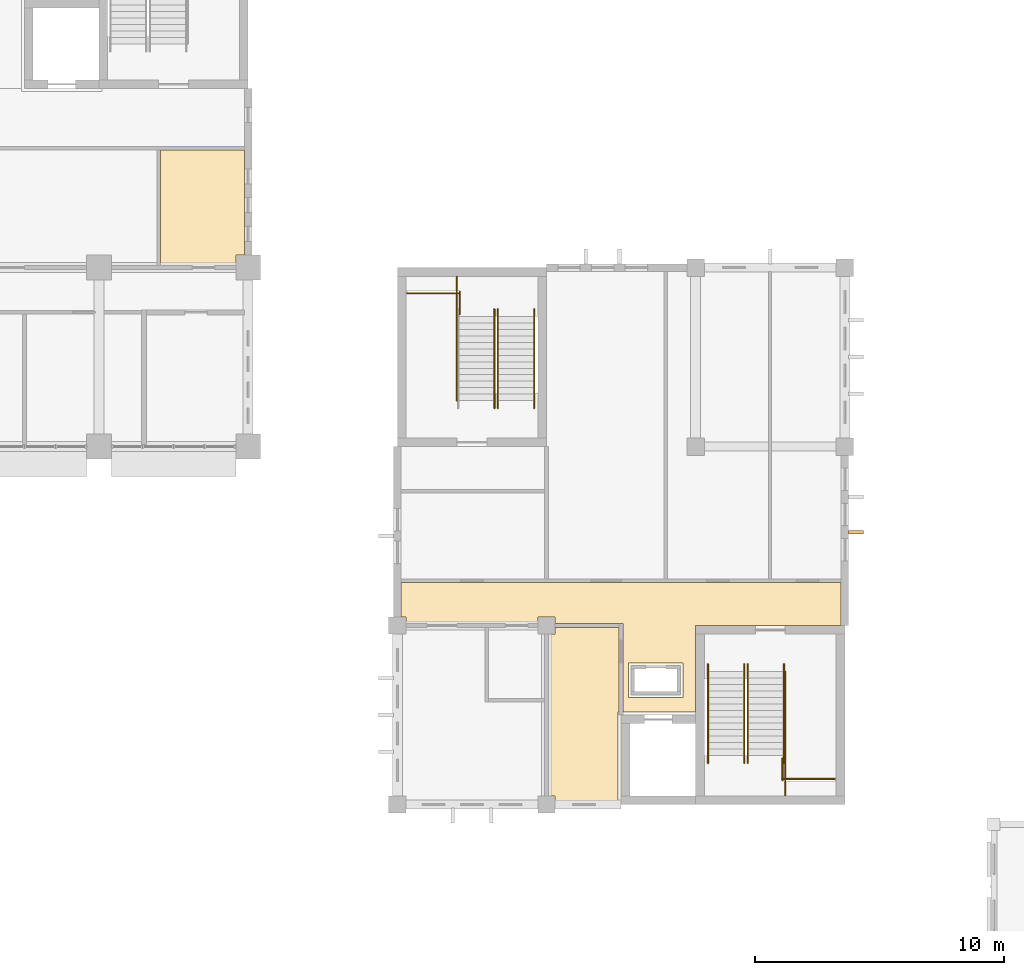
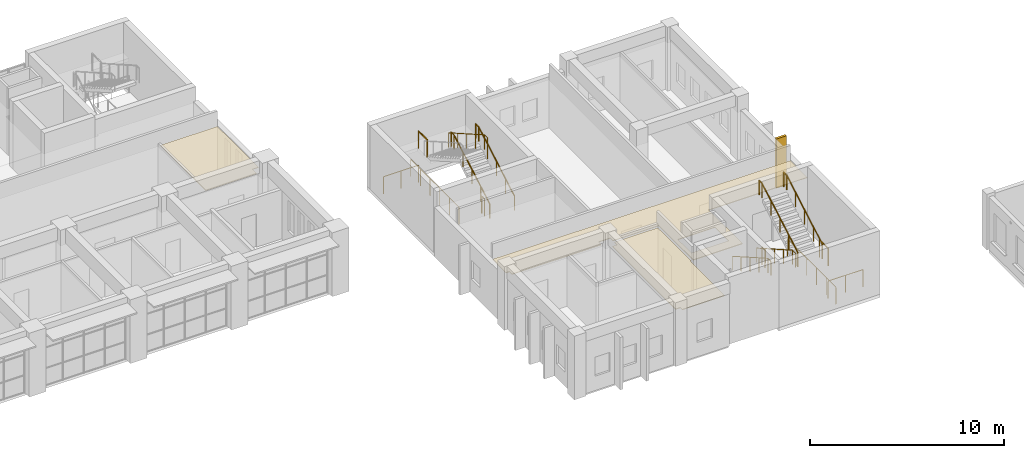
# One storey, part 89 of 92: 15 railings, 3 coverings, 1 shading device.
"""IFC4 building model written with IfcOpenShell, lengths in metres."""

from ifc_helpers import new_model, si_unit, direction, frame, origin, origin_2d, place, context, subcontext, project, spatial, polyline, rectangle, circle, outline, extrude, material, layer, layer_set, type_object, element, save


model = new_model("IFC4")

# Units and contexts
model_context = context("Model", 3, precision=1e-05, world=origin(), true_north=direction((0.0, 1.0)))
body_context = subcontext(model_context, "Body", "Model", "MODEL_VIEW")
ifc_project = project(units=[si_unit("LENGTHUNIT", "METRE"), si_unit("AREAUNIT", "SQUARE_METRE"), si_unit("VOLUMEUNIT", "CUBIC_METRE"), si_unit("PLANEANGLEUNIT", "RADIAN"), si_unit("MASSUNIT", "GRAM", prefix="KILO")], contexts=[model_context])

# Site, building, storey
site_placement = place(None, origin())
site = spatial("IfcSite", under=ifc_project, at=site_placement, CompositionType="ELEMENT")
building_placement = place(site_placement, origin())
building = spatial("IfcBuilding", under=site, at=building_placement, Name="Laocheng Heights Fire and Rescue Headquarters", CompositionType="ELEMENT")
storey_placement = place(building_placement, frame((0.0, 0.0, 12.60009765625)))
storey = spatial("IfcBuildingStorey", under=building, at=storey_placement, Name="L03", CompositionType="ELEMENT", Elevation=12.60009765625)

# Shading device
ifc_material_1 = material(Name="Precast concrete C40/50, light warm grey", Category="concrete")
ifc_layer_1 = layer(ifc_material_1, 0.14990234375)
ifc_layer_set_1 = layer_set([ifc_layer_1], Name="Precast concrete C40/50, light warm grey")
shading_device_type = type_object("IfcShadingDeviceType", Name="PRECAST VERTICAL FIN 150 x 600 DORMITORY", PredefinedType="AWNING", material=ifc_layer_set_1)
shading_device_placement = place(storey_placement, frame((108.449951171875, 46.956298828125, -0.000244140625), z_axis=(0.0, 0.0, 1.0), x_axis=(1.0, 0.0, 0.0)))
element("IfcShadingDevice", 1, at=shading_device_placement, inside=storey, type_object=shading_device_type, Name="FIN CREW L03", PredefinedType="AWNING", context=body_context, shape_type="SweptSolid", body=[
    extrude(rectangle(XDim=0.60009765625, YDim=0.14990234375, at=origin_2d()), origin(), (0.0, 0.0, 1.0), 3.10009765625),
])

# Railings
ifc_material_2 = material(Name="Steel Q355B", Category="steel")
railing_type_1 = type_object("IfcRailingType", Name="STAIR GUARD 1100", PredefinedType="GUARDRAIL", material=ifc_material_2)
railing_1_placement = place(storey_placement, frame((104.094970703125, 41.0498046875, 0.0)))
element("IfcRailing", 2, at=railing_1_placement, inside=storey, type_object=railing_type_1, Name="Stair C1 guard L03 well edge", PredefinedType="GUARDRAIL", context=body_context, shape_type="SweptSolid", body=[
    extrude(circle(Radius=0.02392578125, at=origin_2d()), frame((0.0, 0.0, 1.076171875), z_axis=(0.0, 1.0, 0.0), x_axis=(-1.0, 0.0, 0.0)), (0.0, 0.0, 1.0), 0.30029296875),
    extrude(circle(Radius=0.02099609375, at=origin_2d()), origin(), (0.0, 0.0, 1.0), 1.052001953125),
    extrude(circle(Radius=0.02099609375, at=origin_2d()), frame((0.0, 0.30029296875, 0.0)), (0.0, 0.0, 1.0), 1.052001953125),
])
railing_2_placement = place(storey_placement, frame((105.52490234375, 37.030029296875, 0.0)))
element("IfcRailing", 3, at=railing_2_placement, inside=storey, type_object=railing_type_1, Name="Stair C1 guard L03 tongue edge", PredefinedType="GUARDRAIL", context=body_context, shape_type="SweptSolid", body=[
    extrude(circle(Radius=0.02392578125, at=origin_2d()), frame((0.0, 0.0, 1.076171875), z_axis=(1.0, 0.0, 0.0), x_axis=(0.0, 1.0, 0.0)), (0.0, 0.0, 1.0), 2.0751953125),
    extrude(circle(Radius=0.02099609375, at=origin_2d()), origin(), (0.0, 0.0, 1.0), 1.052001953125),
    extrude(circle(Radius=0.02099609375, at=origin_2d()), frame((1.03759765625, 0.0, 0.0)), (0.0, 0.0, 1.0), 1.052001953125),
    extrude(circle(Radius=0.02099609375, at=origin_2d()), frame((2.0751953125, 0.0, 0.0)), (0.0, 0.0, 1.0), 1.052001953125),
])
railing_3_placement = place(storey_placement, frame((105.60498046875, 36.3701171875, 0.0)))
element("IfcRailing", 4, at=railing_3_placement, inside=storey, type_object=railing_type_1, Name="Stair C1 guard L03 strip edge", PredefinedType="GUARDRAIL", context=body_context, shape_type="SweptSolid", body=[
    extrude(circle(Radius=0.02392578125, at=origin_2d()), frame((0.0, 0.0, 1.076171875), z_axis=(0.0, 1.0, 0.0), x_axis=(-1.0, 0.0, 0.0)), (0.0, 0.0, 1.0), 4.97998046875),
    extrude(circle(Radius=0.02099609375, at=origin_2d()), origin(), (0.0, 0.0, 1.0), 1.052001953125),
    extrude(circle(Radius=0.02099609375, at=origin_2d()), frame((0.0, 0.99609375, 0.0)), (0.0, 0.0, 1.0), 1.052001953125),
    extrude(circle(Radius=0.02099609375, at=origin_2d()), frame((0.0, 1.991943359375, 0.0)), (0.0, 0.0, 1.0), 1.052001953125),
    extrude(circle(Radius=0.02099609375, at=origin_2d()), frame((0.0, 2.988037109375, 0.0)), (0.0, 0.0, 1.0), 1.052001953125),
    extrude(circle(Radius=0.02099609375, at=origin_2d()), frame((0.0, 3.98388671875, 0.0)), (0.0, 0.0, 1.0), 1.052001953125),
    extrude(circle(Radius=0.02099609375, at=origin_2d()), frame((0.0, 4.97998046875, 0.0)), (0.0, 0.0, 1.0), 1.052001953125),
])
railing_4_placement = place(storey_placement, frame((105.4951171875, 36.969970703125, 2.099853515625)))
element("IfcRailing", 5, at=railing_4_placement, inside=storey, type_object=railing_type_1, Name="Stair C1 guard L03 half landing", PredefinedType="GUARDRAIL", context=body_context, shape_type="SweptSolid", body=[
    extrude(circle(Radius=0.02392578125, at=origin_2d()), frame((0.0, 0.0, 1.076171875), z_axis=(0.0, 1.0, 0.0), x_axis=(-1.0, 0.0, 0.0)), (0.0, 0.0, 1.0), 0.900146484375),
    extrude(circle(Radius=0.02099609375, at=origin_2d()), origin(), (0.0, 0.0, 1.0), 1.052001953125),
    extrude(circle(Radius=0.02099609375, at=origin_2d()), frame((0.0, 0.900146484375, 0.0)), (0.0, 0.0, 1.0), 1.052001953125),
])
railing_5_placement = place(storey_placement, frame((93.905029296875, 52.550048828125, 0.0)))
element("IfcRailing", 6, at=railing_5_placement, inside=storey, type_object=railing_type_1, Name="Stair C2 guard L03 well edge", PredefinedType="GUARDRAIL", context=body_context, shape_type="SweptSolid", body=[
    extrude(circle(Radius=0.02392578125, at=origin_2d()), frame((0.0, 0.0, 1.076171875), z_axis=(0.0, -1.0, 0.0), x_axis=(1.0, 0.0, 0.0)), (0.0, 0.0, 1.0), 0.300048828125),
    extrude(circle(Radius=0.02099609375, at=origin_2d()), origin(), (0.0, 0.0, 1.0), 1.052001953125),
    extrude(circle(Radius=0.02099609375, at=origin_2d()), frame((0.0, -0.300048828125, 0.0)), (0.0, 0.0, 1.0), 1.052001953125),
])
railing_6_placement = place(storey_placement, frame((92.47509765625, 56.570068359375, 0.0)))
element("IfcRailing", 7, at=railing_6_placement, inside=storey, type_object=railing_type_1, Name="Stair C2 guard L03 tongue edge", PredefinedType="GUARDRAIL", context=body_context, shape_type="SweptSolid", body=[
    extrude(circle(Radius=0.02392578125, at=origin_2d()), frame((0.0, 0.0, 1.076171875), z_axis=(-1.0, 0.0, 0.0), x_axis=(0.0, -1.0, 0.0)), (0.0, 0.0, 1.0), 2.0751953125),
    extrude(circle(Radius=0.02099609375, at=origin_2d()), origin(), (0.0, 0.0, 1.0), 1.052001953125),
    extrude(circle(Radius=0.02099609375, at=origin_2d()), frame((-1.03759765625, 0.0, 0.0)), (0.0, 0.0, 1.0), 1.052001953125),
    extrude(circle(Radius=0.02099609375, at=origin_2d()), frame((-2.0751953125, 0.0, 0.0)), (0.0, 0.0, 1.0), 1.052001953125),
])
railing_7_placement = place(storey_placement, frame((92.39501953125, 57.22998046875, 0.0)))
element("IfcRailing", 8, at=railing_7_placement, inside=storey, type_object=railing_type_1, Name="Stair C2 guard L03 strip edge", PredefinedType="GUARDRAIL", context=body_context, shape_type="SweptSolid", body=[
    extrude(circle(Radius=0.02392578125, at=origin_2d()), frame((0.0, 0.0, 1.076171875), z_axis=(0.0, -1.0, 0.0), x_axis=(1.0, 0.0, 0.0)), (0.0, 0.0, 1.0), 4.97998046875),
    extrude(circle(Radius=0.02099609375, at=origin_2d()), origin(), (0.0, 0.0, 1.0), 1.052001953125),
    extrude(circle(Radius=0.02099609375, at=origin_2d()), frame((0.0, -0.99609375, 0.0)), (0.0, 0.0, 1.0), 1.052001953125),
    extrude(circle(Radius=0.02099609375, at=origin_2d()), frame((0.0, -1.991943359375, 0.0)), (0.0, 0.0, 1.0), 1.052001953125),
    extrude(circle(Radius=0.02099609375, at=origin_2d()), frame((0.0, -2.988037109375, 0.0)), (0.0, 0.0, 1.0), 1.052001953125),
    extrude(circle(Radius=0.02099609375, at=origin_2d()), frame((0.0, -3.98388671875, 0.0)), (0.0, 0.0, 1.0), 1.052001953125),
    extrude(circle(Radius=0.02099609375, at=origin_2d()), frame((0.0, -4.97998046875, 0.0)), (0.0, 0.0, 1.0), 1.052001953125),
])
railing_8_placement = place(storey_placement, frame((92.5048828125, 56.6298828125, 2.099853515625)))
element("IfcRailing", 9, at=railing_8_placement, inside=storey, type_object=railing_type_1, Name="Stair C2 guard L03 half landing", PredefinedType="GUARDRAIL", context=body_context, shape_type="SweptSolid", body=[
    extrude(circle(Radius=0.02392578125, at=origin_2d()), frame((0.0, 0.0, 1.076171875), z_axis=(0.0, -1.0, 0.0), x_axis=(1.0, 0.0, 0.0)), (0.0, 0.0, 1.0), 0.89990234375),
    extrude(circle(Radius=0.02099609375, at=origin_2d()), origin(), (0.0, 0.0, 1.0), 1.052001953125),
    extrude(circle(Radius=0.02099609375, at=origin_2d()), frame((0.0, -0.89990234375, 0.0)), (0.0, 0.0, 1.0), 1.052001953125),
])
ifc_material_3 = material(Name="Steel Q355B", Category="steel")
railing_type_2 = type_object("IfcRailingType", Name="STAIR HANDRAIL 920", PredefinedType="HANDRAIL", material=ifc_material_3)
for number, where, name in (
    (10, (102.4951171875, 41.64990234375, 0.0), "Stair C1 handrail L03 1"),
    (11, (103.955078125, 41.64990234375, 0.0), "Stair C1 handrail L03 2"),
):
    element("IfcRailing", number, at=place(storey_placement, frame(where)), inside=storey, type_object=railing_type_2, Name=name, PredefinedType="HANDRAIL", context=body_context, shape_type="SweptSolid", body=[
        extrude(circle(Radius=0.02392578125, at=origin_2d()), frame((0.0, 0.0, 0.89599609375), z_axis=(0.0, -0.868544392059, 0.495611379029), x_axis=(1.0, 0.0, 0.0)), (0.0, 0.0, 1.0), 4.23681640625),
        extrude(circle(Radius=0.02392578125, at=origin_2d()), frame((0.0, -3.679931640625, 2.99560546875), z_axis=(0.0, -1.0, 0.0), x_axis=(1.0, 0.0, 0.0)), (0.0, 0.0, 1.0), 0.300048828125),
        extrude(circle(Radius=0.02099609375, at=origin_2d()), origin(), (0.0, 0.0, 1.0), 0.871826171875),
        extrude(circle(Radius=0.02099609375, at=origin_2d()), frame((0.0, -0.919921875, 0.52490234375)), (0.0, 0.0, 1.0), 0.871826171875),
        extrude(circle(Radius=0.02099609375, at=origin_2d()), frame((0.0, -1.83984375, 1.0498046875)), (0.0, 0.0, 1.0), 0.871826171875),
        extrude(circle(Radius=0.02099609375, at=origin_2d()), frame((0.0, -2.760009765625, 1.574951171875)), (0.0, 0.0, 1.0), 0.871826171875),
        extrude(circle(Radius=0.02099609375, at=origin_2d()), frame((0.0, -3.679931640625, 2.099853515625)), (0.0, 0.0, 1.0), 0.871826171875),
        extrude(circle(Radius=0.02099609375, at=origin_2d()), frame((0.0, -3.97998046875, 2.099853515625)), (0.0, 0.0, 1.0), 0.871826171875),
    ])
for number, where, name in (
    (12, (104.094970703125, 37.669921875, 2.099853515625), "Stair C1 handrail L03 3"),
    (13, (105.554931640625, 37.669921875, 2.099853515625), "Stair C1 handrail L03 4"),
):
    element("IfcRailing", number, at=place(storey_placement, frame(where)), inside=storey, type_object=railing_type_2, Name=name, PredefinedType="HANDRAIL", context=body_context, shape_type="SweptSolid", body=[
        extrude(circle(Radius=0.02392578125, at=origin_2d()), frame((0.0, 0.0, 0.89599609375), z_axis=(0.0, 0.868533742332, 0.495630041896), x_axis=(-1.0, 0.0, 0.0)), (0.0, 0.0, 1.0), 4.2373046875),
        extrude(circle(Radius=0.02392578125, at=origin_2d()), frame((0.0, 3.68017578125, 2.99609375), z_axis=(0.0, 1.0, 0.0), x_axis=(-1.0, 0.0, 0.0)), (0.0, 0.0, 1.0), 0.2998046875),
        extrude(circle(Radius=0.02099609375, at=origin_2d()), origin(), (0.0, 0.0, 1.0), 0.871826171875),
        extrude(circle(Radius=0.02099609375, at=origin_2d()), frame((0.0, 0.919921875, 0.52490234375)), (0.0, 0.0, 1.0), 0.871826171875),
        extrude(circle(Radius=0.02099609375, at=origin_2d()), frame((0.0, 1.840087890625, 1.050048828125)), (0.0, 0.0, 1.0), 0.871826171875),
        extrude(circle(Radius=0.02099609375, at=origin_2d()), frame((0.0, 2.76025390625, 1.5751953125)), (0.0, 0.0, 1.0), 0.871826171875),
        extrude(circle(Radius=0.02099609375, at=origin_2d()), frame((0.0, 3.68017578125, 2.10009765625)), (0.0, 0.0, 1.0), 0.871826171875),
        extrude(circle(Radius=0.02099609375, at=origin_2d()), frame((0.0, 3.97998046875, 2.10009765625)), (0.0, 0.0, 1.0), 0.871826171875),
    ])
for number, where, name in (
    (14, (95.5048828125, 51.949951171875, 0.0), "Stair C2 handrail L03 1"),
    (15, (94.044921875, 51.949951171875, 0.0), "Stair C2 handrail L03 2"),
):
    element("IfcRailing", number, at=place(storey_placement, frame(where)), inside=storey, type_object=railing_type_2, Name=name, PredefinedType="HANDRAIL", context=body_context, shape_type="SweptSolid", body=[
        extrude(circle(Radius=0.02392578125, at=origin_2d()), frame((0.0, 0.0, 0.89599609375), z_axis=(0.0, 0.868544392059, 0.495611379029), x_axis=(-1.0, 0.0, 0.0)), (0.0, 0.0, 1.0), 4.23681640625),
        extrude(circle(Radius=0.02392578125, at=origin_2d()), frame((0.0, 3.679931640625, 2.99560546875), z_axis=(0.0, 1.0, 0.0), x_axis=(-1.0, 0.0, 0.0)), (0.0, 0.0, 1.0), 0.300048828125),
        extrude(circle(Radius=0.02099609375, at=origin_2d()), origin(), (0.0, 0.0, 1.0), 0.871826171875),
        extrude(circle(Radius=0.02099609375, at=origin_2d()), frame((0.0, 0.919921875, 0.52490234375)), (0.0, 0.0, 1.0), 0.871826171875),
        extrude(circle(Radius=0.02099609375, at=origin_2d()), frame((0.0, 1.83984375, 1.0498046875)), (0.0, 0.0, 1.0), 0.871826171875),
        extrude(circle(Radius=0.02099609375, at=origin_2d()), frame((0.0, 2.760009765625, 1.574951171875)), (0.0, 0.0, 1.0), 0.871826171875),
        extrude(circle(Radius=0.02099609375, at=origin_2d()), frame((0.0, 3.679931640625, 2.099853515625)), (0.0, 0.0, 1.0), 0.871826171875),
        extrude(circle(Radius=0.02099609375, at=origin_2d()), frame((0.0, 3.97998046875, 2.099853515625)), (0.0, 0.0, 1.0), 0.871826171875),
    ])
railing_9_placement = place(storey_placement, frame((93.905029296875, 55.929931640625, 2.099853515625)))
element("IfcRailing", 16, at=railing_9_placement, inside=storey, type_object=railing_type_2, Name="Stair C2 handrail L03 3", PredefinedType="HANDRAIL", context=body_context, shape_type="SweptSolid", body=[
    extrude(circle(Radius=0.02392578125, at=origin_2d()), frame((0.0, 0.0, 0.89599609375), z_axis=(0.0, -0.868519587458, 0.495654845838), x_axis=(1.0, 0.0, 0.0)), (0.0, 0.0, 1.0), 4.237060546875),
    extrude(circle(Radius=0.02392578125, at=origin_2d()), frame((0.0, -3.679931640625, 2.99609375), z_axis=(0.0, -1.0, 0.0), x_axis=(1.0, 0.0, 0.0)), (0.0, 0.0, 1.0), 0.300048828125),
    extrude(circle(Radius=0.02099609375, at=origin_2d()), origin(), (0.0, 0.0, 1.0), 0.871826171875),
    extrude(circle(Radius=0.02099609375, at=origin_2d()), frame((0.0, -0.919921875, 0.52490234375)), (0.0, 0.0, 1.0), 0.871826171875),
    extrude(circle(Radius=0.02099609375, at=origin_2d()), frame((0.0, -1.83984375, 1.050048828125)), (0.0, 0.0, 1.0), 0.871826171875),
    extrude(circle(Radius=0.02099609375, at=origin_2d()), frame((0.0, -2.760009765625, 1.5751953125)), (0.0, 0.0, 1.0), 0.871826171875),
    extrude(circle(Radius=0.02099609375, at=origin_2d()), frame((0.0, -3.679931640625, 2.10009765625)), (0.0, 0.0, 1.0), 0.871826171875),
    extrude(circle(Radius=0.02099609375, at=origin_2d()), frame((0.0, -3.97998046875, 2.10009765625)), (0.0, 0.0, 1.0), 0.871826171875),
])

# Coverings
ifc_material_4 = material(Name="Mineral fibre ceiling tile")
ifc_layer_2 = layer(ifc_material_4, 0.0400390625)
ifc_layer_set_2 = layer_set([ifc_layer_2], Name="Mineral fibre ceiling tile")
covering_type_1 = type_object("IfcCoveringType", Name="SUSPENDED CEILING MINERAL FIBRE TILE CREW WING", PredefinedType="CEILING", material=ifc_layer_set_2)
covering_1_placement = place(storey_placement, frame((0.0, 0.0, 3.0)))
element("IfcCovering", 17, at=covering_1_placement, inside=storey, type_object=covering_type_1, Name="Circulation ceiling", PredefinedType="CEILING", context=body_context, shape_type="SweptSolid", body=[
    extrude(outline(polyline([(102.0, 39.72509765625), (101.875, 39.72509765625), (99.125, 39.72509765625), (99.074951171875, 39.72509765625), (99.074951171875, 43.27490234375), (98.925048828125, 43.27490234375), (96.35009765625, 43.27490234375), (96.35009765625, 43.550048828125), (95.64990234375, 43.550048828125), (95.64990234375, 43.27490234375), (90.35009765625, 43.27490234375), (90.35009765625, 43.550048828125), (90.14990234375, 43.550048828125), (90.14990234375, 44.925048828125), (107.85009765625, 44.925048828125), (107.85009765625, 43.199951171875), (102.0, 43.199951171875), (102.0, 39.72509765625)]), holes=[polyline([(101.5, 40.5), (101.5, 41.5), (101.5, 41.699951171875), (101.300048828125, 41.699951171875), (99.5, 41.699951171875), (99.300048828125, 41.699951171875), (99.300048828125, 41.5), (99.300048828125, 40.5), (99.300048828125, 40.300048828125), (99.5, 40.300048828125), (101.300048828125, 40.300048828125), (101.5, 40.300048828125), (101.5, 40.5)])]), origin(), (0.0, 0.0, 1.0), 0.039794921875),
])
covering_2_placement = place(storey_placement, frame((0.0, 0.0, 3.0)))
element("IfcCovering", 18, at=covering_2_placement, inside=storey, type_object=covering_type_1, Name="Toilets ceiling", PredefinedType="CEILING", context=body_context, shape_type="SweptSolid", body=[
    extrude(outline(polyline([(96.35009765625, 36.14990234375), (96.35009765625, 36.35009765625), (96.074951171875, 36.35009765625), (96.074951171875, 42.85009765625), (96.35009765625, 42.85009765625), (96.35009765625, 43.125), (98.925048828125, 43.125), (98.925048828125, 39.72509765625), (98.875, 39.72509765625), (98.875, 39.47509765625), (98.875, 36.14990234375), (96.35009765625, 36.14990234375)])), origin(), (0.0, 0.0, 1.0), 0.039794921875),
])
ifc_material_5 = material(Name="Mineral fibre ceiling tile")
ifc_layer_3 = layer(ifc_material_5, 0.0400390625)
ifc_layer_set_3 = layer_set([ifc_layer_3], Name="Mineral fibre ceiling tile")
covering_type_2 = type_object("IfcCoveringType", Name="SUSPENDED CEILING MINERAL FIBRE TILE HQ WING", PredefinedType="CEILING", material=ifc_layer_set_3)
covering_3_placement = place(storey_placement, frame((0.0, 0.0, 3.0)))
element("IfcCovering", 19, at=covering_3_placement, inside=storey, type_object=covering_type_2, Name="Staff Pantry ceiling", PredefinedType="CEILING", context=body_context, shape_type="SweptSolid", body=[
    extrude(outline(polyline([(80.47509765625, 57.675048828125), (80.47509765625, 62.324951171875), (83.85009765625, 62.324951171875), (83.85009765625, 58.10009765625), (83.5, 58.10009765625), (83.5, 57.675048828125), (80.47509765625, 57.675048828125)])), origin(), (0.0, 0.0, 1.0), 0.039794921875),
])

save(model, "model.ifc")
